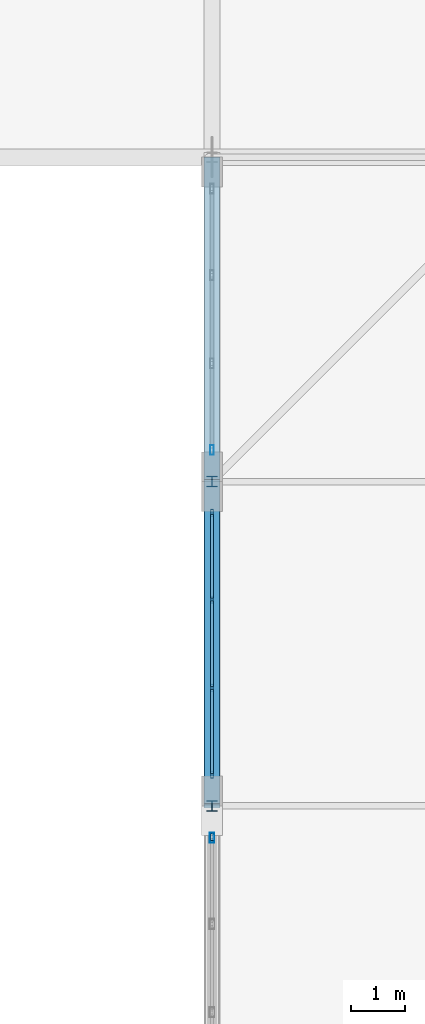
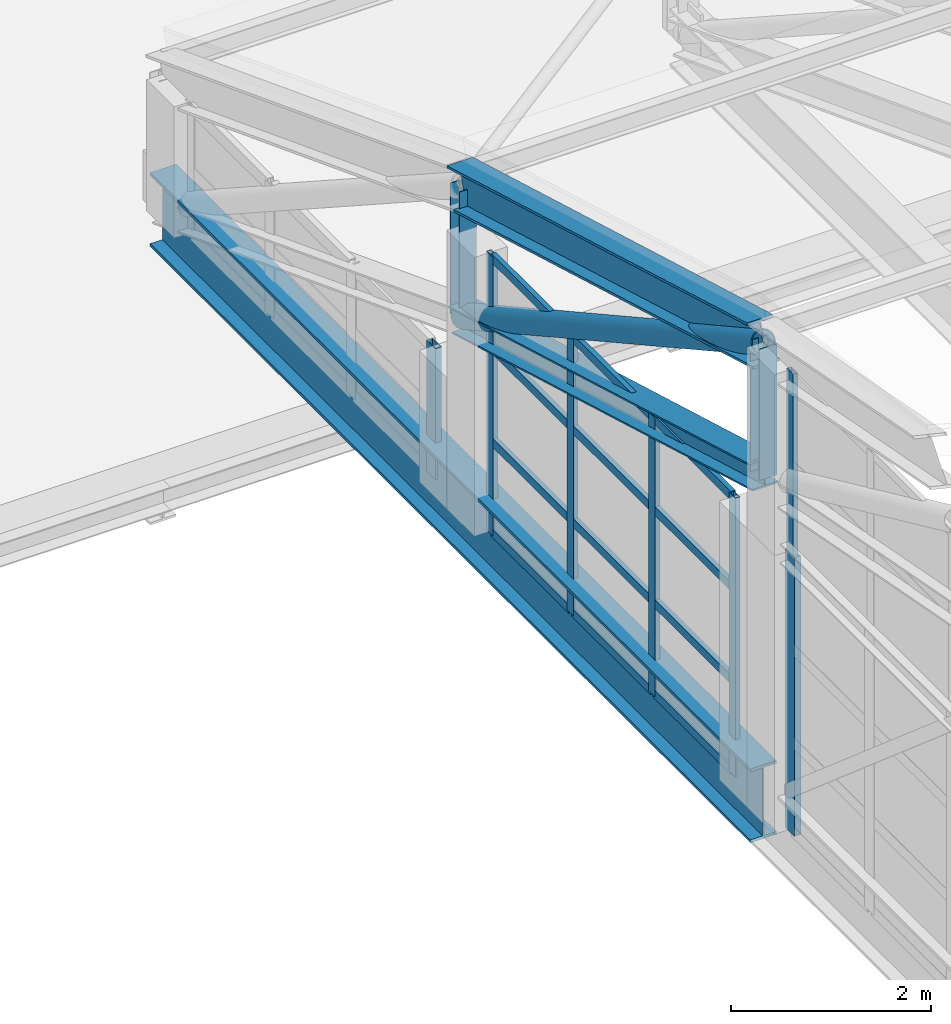
# One storey, part 141 of 204: 25 members, 4 elements without a shape of their own.
"""IFC4 building model written with IfcOpenShell, lengths in metres."""

from ifc_helpers import new_model, si_unit, direction, frame, origin, origin_2d, place, context, subcontext, project, spatial, hollow_rectangle, hollow_circle, i_section, extrude, material, layer, layer_set, material_profile, profile_set, type_object, element, aggregate, save


model = new_model("IFC4")

# Units and contexts
model_context = context("Model", 3, precision=1e-05, world=origin(), true_north=direction((0.0, 1.0)))
body_context = subcontext(model_context, "Body", "Model", "MODEL_VIEW")
ifc_project = project(units=[si_unit("LENGTHUNIT", "METRE"), si_unit("AREAUNIT", "SQUARE_METRE"), si_unit("VOLUMEUNIT", "CUBIC_METRE"), si_unit("PLANEANGLEUNIT", "RADIAN"), si_unit("MASSUNIT", "GRAM", prefix="KILO")], contexts=[model_context])

# Site, building, storey
site_placement = place(None, origin())
site = spatial("IfcSite", under=ifc_project, at=site_placement, CompositionType="ELEMENT")
building_placement = place(site_placement, origin())
building = spatial("IfcBuilding", under=site, at=building_placement, Name="Zilviju Railside Exhibition Hall", CompositionType="ELEMENT")
storey_placement = place(building_placement, frame((0.0, 0.0, 21.0)))
storey = spatial("IfcBuildingStorey", under=building, at=storey_placement, Name="RF", CompositionType="ELEMENT", Elevation=21.0)

# Curtain wall, members
ifc_material_1 = material(Name="Thermally broken aluminium-steel triple-glazed curtain wall", Category="steel")
ifc_layer_1 = layer(ifc_material_1, 0.179931640625)
ifc_layer_set_1 = layer_set([ifc_layer_1], Name="Thermally broken aluminium-steel triple-glazed curtain wall")
curtain_wall_type_1 = type_object("IfcCurtainWallType", Name="CW-BAY-06", PredefinedType="USERDEFINED", material=ifc_layer_set_1)
curtain_wall_1_placement = place(storey_placement, origin())
curtain_wall_1 = element("IfcCurtainWall", 1, at=curtain_wall_1_placement, inside=storey, type_object=curtain_wall_type_1, Name="North Hall Arch Lower Tympanum Glazing West P8", ObjectType="GLAZED CURTAIN WALL", PredefinedType="USERDEFINED")
ifc_material_2 = material(Name="Thermally broken anodized aluminium mullion", Category="aluminium")
ifc_material_profile_1 = material_profile(ifc_material_2, hollow_rectangle(XDim=0.054931640625, YDim=0.1298828125, WallThickness=0.0048828125, at=origin_2d()), Name="MULLION 130x55x5")
ifc_profile_set_1 = profile_set([ifc_material_profile_1], Name="Thermally broken anodized aluminium mullion")
member_type_1 = type_object("IfcMemberType", Name="CWM-55x130", PredefinedType="MULLION", material=ifc_profile_set_1)
member_1_placement = place(storey_placement, frame((78.0, 126.577392578125, -3.60009765625), z_axis=(0.0, 0.0, 1.0), x_axis=(-1.0, 0.0, 0.0)))
member_1 = element("IfcMember", 2, at=member_1_placement, type_object=member_type_1, Name="CW-06 mullion 1", PredefinedType="MULLION", context=body_context, shape_type="SweptSolid", body=[
    extrude(hollow_rectangle(XDim=0.054931640625, YDim=0.1298828125, WallThickness=0.0048828125, at=origin_2d()), origin(), (0.0, 0.0, 1.0), 3.400146484375),
])
member_2_placement = place(storey_placement, frame((78.0, 128.183349609375, -3.60009765625), z_axis=(0.0, 0.0, 1.0), x_axis=(-1.0, 0.0, 0.0)))
member_2 = element("IfcMember", 3, at=member_2_placement, type_object=member_type_1, Name="CW-06 mullion 2", PredefinedType="MULLION", context=body_context, shape_type="SweptSolid", body=[
    extrude(hollow_rectangle(XDim=0.054931640625, YDim=0.1298828125, WallThickness=0.0048828125, at=origin_2d()), origin(), (0.0, 0.0, 1.0), 3.400146484375),
])
member_3_placement = place(storey_placement, frame((78.0, 129.816650390625, -3.60009765625), z_axis=(0.0, 0.0, 1.0), x_axis=(-1.0, 0.0, 0.0)))
member_3 = element("IfcMember", 4, at=member_3_placement, type_object=member_type_1, Name="CW-06 mullion 3", PredefinedType="MULLION", context=body_context, shape_type="SweptSolid", body=[
    extrude(hollow_rectangle(XDim=0.054931640625, YDim=0.1298828125, WallThickness=0.0048828125, at=origin_2d()), origin(), (0.0, 0.0, 1.0), 3.400146484375),
])
member_4_placement = place(storey_placement, frame((78.0, 131.422607421875, -3.60009765625), z_axis=(0.0, 0.0, 1.0), x_axis=(-1.0, 0.0, 0.0)))
member_4 = element("IfcMember", 5, at=member_4_placement, type_object=member_type_1, Name="CW-06 mullion 4", PredefinedType="MULLION", context=body_context, shape_type="SweptSolid", body=[
    extrude(hollow_rectangle(XDim=0.054931640625, YDim=0.1298828125, WallThickness=0.0048828125, at=origin_2d()), origin(), (0.0, 0.0, 1.0), 3.400146484375),
])

# Curtain wall, member
ifc_layer_2 = layer(ifc_material_1, 0.179931640625)
ifc_layer_set_2 = layer_set([ifc_layer_2], Name="Thermally broken aluminium-steel triple-glazed curtain wall")
curtain_wall_type_2 = type_object("IfcCurtainWallType", Name="CW-BAY-12", PredefinedType="USERDEFINED", material=ifc_layer_set_2)
curtain_wall_2_placement = place(storey_placement, origin())
curtain_wall_2 = element("IfcCurtainWall", 6, at=curtain_wall_2_placement, inside=storey, type_object=curtain_wall_type_2, Name="North Hall Crown Arch Tympanum Glazing West P7", ObjectType="GLAZED CURTAIN WALL", PredefinedType="USERDEFINED")
member_5_placement = place(storey_placement, frame((78.0, 125.422607421875, -0.199951171875), z_axis=(0.0, 0.0, 1.0), x_axis=(-1.0, 0.0, 0.0)))
member_5 = element("IfcMember", 7, at=member_5_placement, type_object=member_type_1, Name="CW-12 mullion 4", PredefinedType="MULLION", context=body_context, shape_type="SweptSolid", body=[
    extrude(hollow_rectangle(XDim=0.054931640625, YDim=0.1298828125, WallThickness=0.0048828125, at=origin_2d()), origin(), (0.0, 0.0, 1.0), 2.209716796875),
])
aggregate(curtain_wall_2, [member_5])

ifc_layer_3 = layer(ifc_material_1, 0.179931640625)
ifc_layer_set_3 = layer_set([ifc_layer_3], Name="Thermally broken aluminium-steel triple-glazed curtain wall")
curtain_wall_type_3 = type_object("IfcCurtainWallType", Name="CW-BAY-07", PredefinedType="USERDEFINED", material=ifc_layer_set_3)
curtain_wall_3_placement = place(storey_placement, origin())
curtain_wall_3 = element("IfcCurtainWall", 8, at=curtain_wall_3_placement, inside=storey, type_object=curtain_wall_type_3, Name="North Hall Arch Lower Tympanum Glazing West P9", ObjectType="GLAZED CURTAIN WALL", PredefinedType="USERDEFINED")
ifc_material_profile_2 = material_profile(ifc_material_2, hollow_rectangle(XDim=0.070068359375, YDim=0.179931640625, WallThickness=0.0048828125, at=origin_2d()), Name="MULLION 180x70x5")
ifc_profile_set_2 = profile_set([ifc_material_profile_2], Name="Thermally broken anodized aluminium mullion")
member_type_2 = type_object("IfcMemberType", Name="CWM-70x180", PredefinedType="MULLION", material=ifc_profile_set_2)
member_6_placement = place(storey_placement, frame((78.0, 132.5849609375, -3.60009765625), z_axis=(0.0, 0.0, 1.0), x_axis=(-1.0, 0.0, 0.0)))
member_6 = element("IfcMember", 9, at=member_6_placement, type_object=member_type_2, Name="CW-07 mullion 1", PredefinedType="MULLION", context=body_context, shape_type="SweptSolid", body=[
    extrude(hollow_rectangle(XDim=0.070068359375, YDim=0.179931640625, WallThickness=0.0048828125, at=origin_2d()), origin(), (0.0, 0.0, 1.0), 1.60009765625),
])
aggregate(curtain_wall_3, [member_6])

ifc_layer_4 = layer(ifc_material_1, 0.179931640625)
ifc_layer_set_4 = layer_set([ifc_layer_4], Name="Thermally broken aluminium-steel triple-glazed curtain wall")
curtain_wall_type_4 = type_object("IfcCurtainWallType", Name="CW-BAY-05", PredefinedType="USERDEFINED", material=ifc_layer_set_4)
curtain_wall_4_placement = place(storey_placement, origin())
curtain_wall_4 = element("IfcCurtainWall", 10, at=curtain_wall_4_placement, inside=storey, type_object=curtain_wall_type_4, Name="North Hall Arch Lower Tympanum Glazing West P7", ObjectType="GLAZED CURTAIN WALL", PredefinedType="USERDEFINED")
ifc_material_profile_3 = material_profile(ifc_material_2, hollow_rectangle(XDim=0.074951171875, YDim=0.18994140625, WallThickness=0.0048828125, at=origin_2d()), Name="MULLION 190x75x5")
ifc_profile_set_3 = profile_set([ifc_material_profile_3], Name="Thermally broken anodized aluminium mullion")
member_type_3 = type_object("IfcMemberType", Name="CWM-75x190", PredefinedType="MULLION", material=ifc_profile_set_3)
member_7_placement = place(storey_placement, frame((78.0, 125.41259765625, -3.60009765625), z_axis=(0.0, 0.0, 1.0), x_axis=(-1.0, 0.0, 0.0)))
member_7 = element("IfcMember", 11, at=member_7_placement, type_object=member_type_3, Name="CW-05 mullion 4", PredefinedType="MULLION", context=body_context, shape_type="SweptSolid", body=[
    extrude(hollow_rectangle(XDim=0.074951171875, YDim=0.18994140625, WallThickness=0.0048828125, at=origin_2d()), origin(), (0.0, 0.0, 1.0), 3.400146484375),
])
aggregate(curtain_wall_4, [member_7])

# Member
ifc_material_3 = material(Name="Thermally broken anodized aluminium transom", Category="aluminium")
ifc_material_profile_4 = material_profile(ifc_material_3, hollow_rectangle(XDim=0.054931640625, YDim=0.10498046875, WallThickness=0.0048828125, at=origin_2d()), Name="TRANSOM 105x55x5")
ifc_profile_set_4 = profile_set([ifc_material_profile_4], Name="Thermally broken anodized aluminium transom")
member_type_4 = type_object("IfcMemberType", Name="CWT-55x105", PredefinedType="USERDEFINED", material=ifc_profile_set_4)
member_8_placement = place(storey_placement, frame((78.0, 126.60498046875, -3.572509765625), z_axis=(0.0, 1.0, 0.0), x_axis=(-1.0, 0.0, 0.0)))
member_8 = element("IfcMember", 12, at=member_8_placement, type_object=member_type_4, Name="CW-06 transom 1.1", ObjectType="TRANSOM", PredefinedType="USERDEFINED", context=body_context, shape_type="SweptSolid", body=[
    extrude(hollow_rectangle(XDim=0.054931640625, YDim=0.10498046875, WallThickness=0.0048828125, at=origin_2d()), origin(), (0.0, 0.0, 1.0), 1.55078125),
])

member_9_placement = place(storey_placement, frame((78.0, 126.60498046875, -2.467041015625), z_axis=(0.0, 1.0, 0.0), x_axis=(-1.0, 0.0, 0.0)))
member_9 = element("IfcMember", 13, at=member_9_placement, type_object=member_type_4, Name="CW-06 transom 1.2", ObjectType="TRANSOM", PredefinedType="USERDEFINED", context=body_context, shape_type="SweptSolid", body=[
    extrude(hollow_rectangle(XDim=0.054931640625, YDim=0.10498046875, WallThickness=0.0048828125, at=origin_2d()), origin(), (0.0, 0.0, 1.0), 1.55078125),
])

member_10_placement = place(storey_placement, frame((78.0, 126.60498046875, -1.3330078125), z_axis=(0.0, 1.0, 0.0), x_axis=(-1.0, 0.0, 0.0)))
member_10 = element("IfcMember", 14, at=member_10_placement, type_object=member_type_4, Name="CW-06 transom 1.3", ObjectType="TRANSOM", PredefinedType="USERDEFINED", context=body_context, shape_type="SweptSolid", body=[
    extrude(hollow_rectangle(XDim=0.054931640625, YDim=0.10498046875, WallThickness=0.0048828125, at=origin_2d()), origin(), (0.0, 0.0, 1.0), 1.55078125),
])

member_11_placement = place(storey_placement, frame((78.0, 126.60498046875, -0.2275390625), z_axis=(0.0, 1.0, 0.0), x_axis=(-1.0, 0.0, 0.0)))
member_11 = element("IfcMember", 15, at=member_11_placement, type_object=member_type_4, Name="CW-06 transom 1.4", ObjectType="TRANSOM", PredefinedType="USERDEFINED", context=body_context, shape_type="SweptSolid", body=[
    extrude(hollow_rectangle(XDim=0.054931640625, YDim=0.10498046875, WallThickness=0.0048828125, at=origin_2d()), origin(), (0.0, 0.0, 1.0), 1.55078125),
])

member_12_placement = place(storey_placement, frame((78.0, 128.2109375, -3.572509765625), z_axis=(0.0, 1.0, 0.0), x_axis=(-1.0, 0.0, 0.0)))
member_12 = element("IfcMember", 16, at=member_12_placement, type_object=member_type_4, Name="CW-06 transom 2.1", ObjectType="TRANSOM", PredefinedType="USERDEFINED", context=body_context, shape_type="SweptSolid", body=[
    extrude(hollow_rectangle(XDim=0.054931640625, YDim=0.10498046875, WallThickness=0.0048828125, at=origin_2d()), origin(), (0.0, 0.0, 1.0), 1.578125),
])

member_13_placement = place(storey_placement, frame((78.0, 128.2109375, -2.467041015625), z_axis=(0.0, 1.0, 0.0), x_axis=(-1.0, 0.0, 0.0)))
member_13 = element("IfcMember", 17, at=member_13_placement, type_object=member_type_4, Name="CW-06 transom 2.2", ObjectType="TRANSOM", PredefinedType="USERDEFINED", context=body_context, shape_type="SweptSolid", body=[
    extrude(hollow_rectangle(XDim=0.054931640625, YDim=0.10498046875, WallThickness=0.0048828125, at=origin_2d()), origin(), (0.0, 0.0, 1.0), 1.578125),
])

member_14_placement = place(storey_placement, frame((78.0, 128.2109375, -1.3330078125), z_axis=(0.0, 1.0, 0.0), x_axis=(-1.0, 0.0, 0.0)))
member_14 = element("IfcMember", 18, at=member_14_placement, type_object=member_type_4, Name="CW-06 transom 2.3", ObjectType="TRANSOM", PredefinedType="USERDEFINED", context=body_context, shape_type="SweptSolid", body=[
    extrude(hollow_rectangle(XDim=0.054931640625, YDim=0.10498046875, WallThickness=0.0048828125, at=origin_2d()), origin(), (0.0, 0.0, 1.0), 1.578125),
])

member_15_placement = place(storey_placement, frame((78.0, 128.2109375, -0.2275390625), z_axis=(0.0, 1.0, 0.0), x_axis=(-1.0, 0.0, 0.0)))
member_15 = element("IfcMember", 19, at=member_15_placement, type_object=member_type_4, Name="CW-06 transom 2.4", ObjectType="TRANSOM", PredefinedType="USERDEFINED", context=body_context, shape_type="SweptSolid", body=[
    extrude(hollow_rectangle(XDim=0.054931640625, YDim=0.10498046875, WallThickness=0.0048828125, at=origin_2d()), origin(), (0.0, 0.0, 1.0), 1.578125),
])

member_16_placement = place(storey_placement, frame((78.0, 129.84423828125, -3.572509765625), z_axis=(0.0, 1.0, 0.0), x_axis=(-1.0, 0.0, 0.0)))
member_16 = element("IfcMember", 20, at=member_16_placement, type_object=member_type_4, Name="CW-06 transom 3.1", ObjectType="TRANSOM", PredefinedType="USERDEFINED", context=body_context, shape_type="SweptSolid", body=[
    extrude(hollow_rectangle(XDim=0.054931640625, YDim=0.10498046875, WallThickness=0.0048828125, at=origin_2d()), origin(), (0.0, 0.0, 1.0), 1.55078125),
])

member_17_placement = place(storey_placement, frame((78.0, 129.84423828125, -2.467041015625), z_axis=(0.0, 1.0, 0.0), x_axis=(-1.0, 0.0, 0.0)))
member_17 = element("IfcMember", 21, at=member_17_placement, type_object=member_type_4, Name="CW-06 transom 3.2", ObjectType="TRANSOM", PredefinedType="USERDEFINED", context=body_context, shape_type="SweptSolid", body=[
    extrude(hollow_rectangle(XDim=0.054931640625, YDim=0.10498046875, WallThickness=0.0048828125, at=origin_2d()), origin(), (0.0, 0.0, 1.0), 1.55078125),
])

member_18_placement = place(storey_placement, frame((78.0, 129.84423828125, -1.3330078125), z_axis=(0.0, 1.0, 0.0), x_axis=(-1.0, 0.0, 0.0)))
member_18 = element("IfcMember", 22, at=member_18_placement, type_object=member_type_4, Name="CW-06 transom 3.3", ObjectType="TRANSOM", PredefinedType="USERDEFINED", context=body_context, shape_type="SweptSolid", body=[
    extrude(hollow_rectangle(XDim=0.054931640625, YDim=0.10498046875, WallThickness=0.0048828125, at=origin_2d()), origin(), (0.0, 0.0, 1.0), 1.55078125),
])

member_19_placement = place(storey_placement, frame((78.0, 129.84423828125, -0.2275390625), z_axis=(0.0, 1.0, 0.0), x_axis=(-1.0, 0.0, 0.0)))
member_19 = element("IfcMember", 23, at=member_19_placement, type_object=member_type_4, Name="CW-06 transom 3.4", ObjectType="TRANSOM", PredefinedType="USERDEFINED", context=body_context, shape_type="SweptSolid", body=[
    extrude(hollow_rectangle(XDim=0.054931640625, YDim=0.10498046875, WallThickness=0.0048828125, at=origin_2d()), origin(), (0.0, 0.0, 1.0), 1.55078125),
])

aggregate(curtain_wall_1, [member_1, member_2, member_3, member_4, member_8, member_9, member_10, member_11, member_12, member_13, member_14, member_15, member_16, member_17, member_18, member_19])

# Members
ifc_material_4 = material(Name="Steel S355ML", Category="steel")
ifc_material_profile_5 = material_profile(ifc_material_4, hollow_circle(Radius=0.136474609375, WallThickness=0.012451171875, at=origin_2d()), Name="CHS 273.0x12.5")
ifc_profile_set_5 = profile_set([ifc_material_profile_5], Name="Steel S355ML")
member_type_5 = type_object("IfcMemberType", Name="TR-BR-CHS273", PredefinedType="BRACE", material=ifc_profile_set_5)
member_20_placement = place(storey_placement, frame((78.0, 126.0, 2.009765625), z_axis=(0.0, 0.8750828143, -0.483973210122), x_axis=(-1.0, 0.0, 0.0)))
element("IfcMember", 24, at=member_20_placement, inside=storey, type_object=member_type_5, Name="V2 Parabolic Arch Web Diagonal X=78.0 P8", PredefinedType="BRACE", context=body_context, shape_type="SweptSolid", body=[
    extrude(hollow_circle(Radius=0.136474609375, WallThickness=0.012451171875, at=origin_2d()), origin(), (0.0, 0.0, 1.0), 6.8564453125),
])
ifc_material_profile_6 = material_profile(ifc_material_4, i_section(OverallWidth=0.300048828125, OverallDepth=0.300048828125, WebThickness=0.010986328125, FlangeThickness=0.01904296875, at=origin_2d()), Name="HEB 300")
ifc_profile_set_6 = profile_set([ifc_material_profile_6], Name="Steel S355ML")
member_type_6 = type_object("IfcMemberType", Name="TR-CH-HEB300", PredefinedType="CHORD", material=ifc_profile_set_6)
member_21_placement = place(storey_placement, frame((78.0, 126.0, 0.409912109375), z_axis=(0.0, 0.961345133658, -0.275346207512), x_axis=(-1.0, 0.0, 0.0)))
element("IfcMember", 25, at=member_21_placement, inside=storey, type_object=member_type_6, Name="V2 Parabolic Arch Bottom Chord X=78.0 P8", PredefinedType="CHORD", context=body_context, shape_type="SweptSolid", body=[
    extrude(i_section(OverallWidth=0.300048828125, OverallDepth=0.300048828125, WebThickness=0.010986328125, FlangeThickness=0.01904296875, at=origin_2d()), origin(), (0.0, 0.0, 1.0), 6.2412109375),
])
ifc_material_profile_7 = material_profile(ifc_material_4, i_section(OverallWidth=0.300048828125, OverallDepth=0.5, WebThickness=0.014404296875, FlangeThickness=0.028076171875, at=origin_2d()), Name="HEB 500")
ifc_profile_set_7 = profile_set([ifc_material_profile_7], Name="Steel S355ML")
member_type_7 = type_object("IfcMemberType", Name="TR-CH-HEB500-ML", PredefinedType="CHORD", material=ifc_profile_set_7)
member_22_placement = place(storey_placement, frame((78.0, 126.0, 2.009765625), z_axis=(0.0, 0.961345133658, -0.275346207512), x_axis=(-1.0, 0.0, 0.0)))
element("IfcMember", 26, at=member_22_placement, inside=storey, type_object=member_type_7, Name="V2 Parabolic Arch Top Chord X=78.0 P8", PredefinedType="CHORD", context=body_context, shape_type="SweptSolid", body=[
    extrude(i_section(OverallWidth=0.300048828125, OverallDepth=0.5, WebThickness=0.014404296875, FlangeThickness=0.028076171875, at=origin_2d()), origin(), (0.0, 0.0, 1.0), 6.2412109375),
])
ifc_material_profile_8 = material_profile(ifc_material_4, i_section(OverallWidth=0.199951171875, OverallDepth=0.18994140625, WebThickness=0.006591796875, FlangeThickness=0.010009765625, at=origin_2d()), Name="HEA 200")
ifc_profile_set_8 = profile_set([ifc_material_profile_8], Name="Steel S355ML")
member_type_8 = type_object("IfcMemberType", Name="TR-POST-HEA200", PredefinedType="POST", material=ifc_profile_set_8)
for number, where, z_axis, x_axis, name in (
    (27, (78.0, 126.0, 0.409912109375), (0.0, 0.0, 1.0), (1.0, 0.0, 0.0), "V2 Parabolic Arch Web Post X=78.0 N7"),
    (28, (78.0, 132.0, -1.30859375), (0.0, 0.0, 1.0), (1.0, 0.0, 0.0), "V2 Parabolic Arch Web Post X=78.0 N8"),
):
    element("IfcMember", number, at=place(storey_placement, frame(where, z_axis=z_axis, x_axis=x_axis)), inside=storey, type_object=member_type_8, Name=name, PredefinedType="POST", context=body_context, shape_type="SweptSolid", body=[
        extrude(i_section(OverallWidth=0.199951171875, OverallDepth=0.18994140625, WebThickness=0.006591796875, FlangeThickness=0.010009765625, at=origin_2d()), origin(), (0.0, 0.0, 1.0), 1.599853515625),
    ])
ifc_material_5 = material(Name="Steel S355J2", Category="steel")
ifc_material_profile_9 = material_profile(ifc_material_5, i_section(OverallWidth=0.300048828125, OverallDepth=0.89990234375, WebThickness=0.0185546875, FlangeThickness=0.034912109375, at=origin_2d()), Name="HEB 900")
ifc_profile_set_9 = profile_set([ifc_material_profile_9], Name="Steel S355J2")
member_type_9 = type_object("IfcMemberType", Name="TR-TIE-HEB900", PredefinedType="CHORD", material=ifc_profile_set_9)
member_23_placement = place(storey_placement, frame((78.0, 126.0, -3.60009765625), z_axis=(0.0, 1.0, 0.0), x_axis=(-1.0, 0.0, 0.0)))
element("IfcMember", 29, at=member_23_placement, inside=storey, type_object=member_type_9, Name="V2 Arch Tie Member X=78.0", PredefinedType="CHORD", context=body_context, shape_type="SweptSolid", body=[
    extrude(i_section(OverallWidth=0.300048828125, OverallDepth=0.89990234375, WebThickness=0.0185546875, FlangeThickness=0.034912109375, at=origin_2d()), origin(), (0.0, 0.0, 1.0), 12.0),
])

save(model, "model.ifc")
